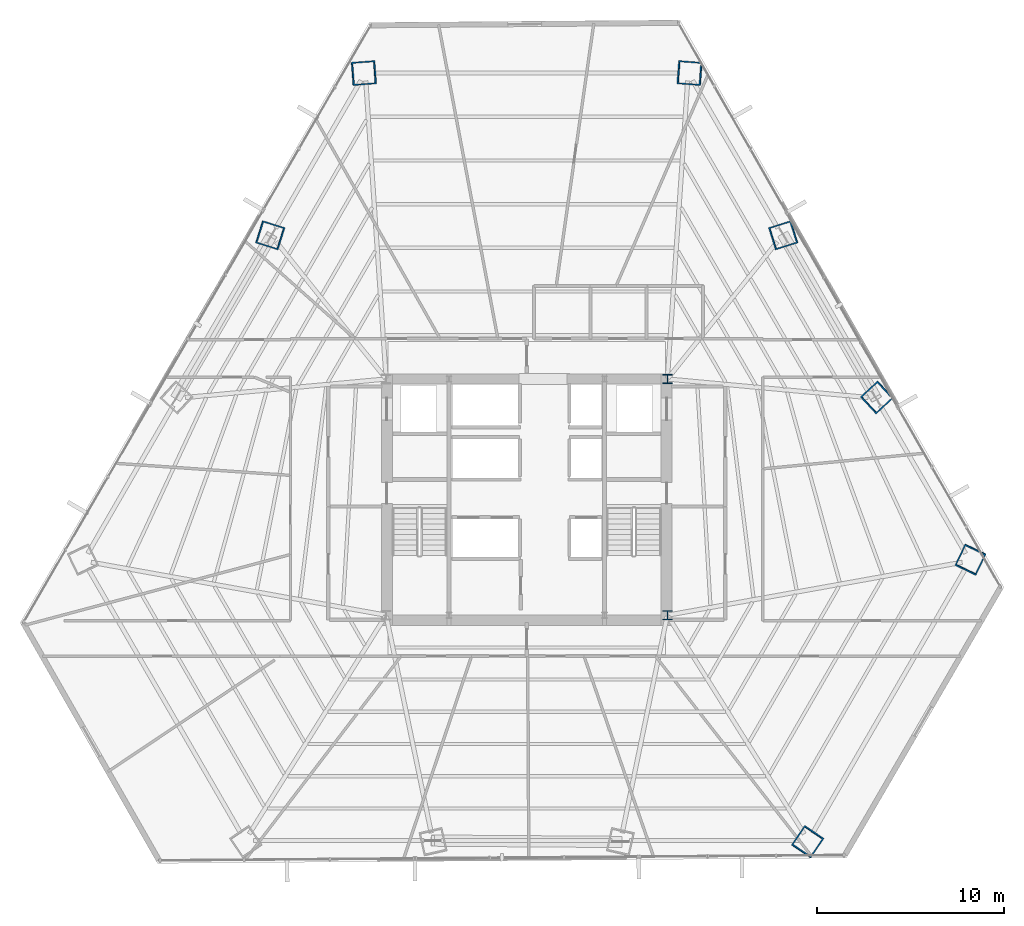
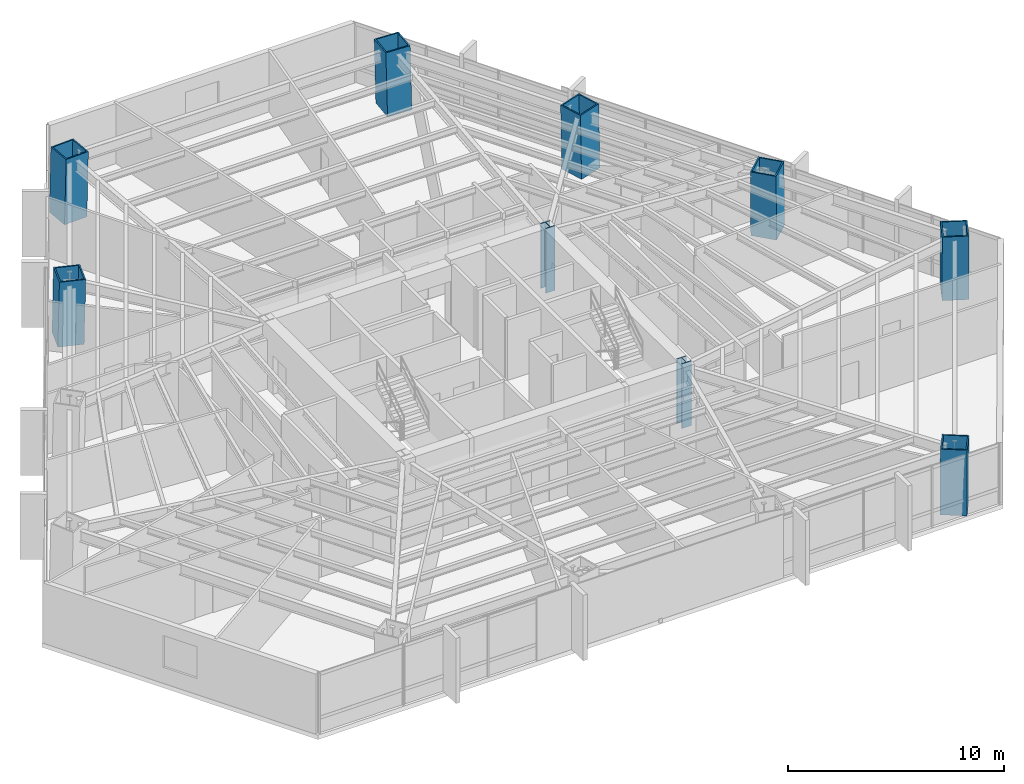
# One storey, part 2 of 35: 9 columns.
"""IFC4 building model written with IfcOpenShell, lengths in metres."""

from ifc_helpers import new_model, si_unit, direction, frame, origin, origin_2d, place, context, subcontext, project, spatial, hollow_rectangle, i_section, extrude, source, transform, mapped, material, material_profile, profile_set, type_object, type_shapes, element, save


model = new_model("IFC4")

# Units and contexts
model_context = context("Model", 3, precision=1e-05, world=origin(), true_north=direction((0.0, 1.0)))
body_context = subcontext(model_context, "Body", "Model", "MODEL_VIEW")
ifc_project = project(units=[si_unit("LENGTHUNIT", "METRE"), si_unit("AREAUNIT", "SQUARE_METRE"), si_unit("VOLUMEUNIT", "CUBIC_METRE"), si_unit("PLANEANGLEUNIT", "RADIAN"), si_unit("MASSUNIT", "GRAM", prefix="KILO")], contexts=[model_context])

# Site, building, storey
site_placement = place(None, origin())
site = spatial("IfcSite", under=ifc_project, at=site_placement, CompositionType="ELEMENT")
building_placement = place(site_placement, origin())
building = spatial("IfcBuilding", under=site, at=building_placement, Name="Caelisora Broadcast Tower", CompositionType="ELEMENT")
storey_placement = place(building_placement, frame((0.0, 0.0, 53.14990234375)))
storey = spatial("IfcBuildingStorey", under=building, at=storey_placement, Name="L13", CompositionType="ELEMENT", Elevation=53.14990234375)

# Columns
ifc_material_1 = material(Name="Steel Grade 350 L15 (AS/NZS 3678)", Category="steel")
ifc_material_profile_1 = material_profile(ifc_material_1, hollow_rectangle(XDim=1.25, YDim=1.25, WallThickness=0.070068359375, at=origin_2d()), Name="Steel Grade 350 L15 (AS/NZS 3678)")
ifc_profile_set_1 = profile_set([ifc_material_profile_1], Name="Steel Grade 350 L15 (AS/NZS 3678)")
column_type_1 = type_object("IfcColumnType", Name="MC02", PredefinedType="COLUMN", material=ifc_profile_set_1)
shared_shape_1 = source(origin(), body_context, "Body", "SweptSolid", [
    extrude(hollow_rectangle(XDim=1.25, YDim=1.25, WallThickness=0.070068359375, at=origin_2d()), origin(), (0.0, 0.0, 1.0), 3.65087890625),
])
for number, where, z_axis, x_axis, name in (
    (1, (24.306640625, 37.67041015625, 0.0), (0.019392689002, -0.006085292066, 0.99979342508), (0.299398805134, 0.954128060317, 0.0), "L13 column MC02"),
    (2, (56.685546875, 29.023681640625, 0.0), (-0.014912316331, -0.013775502979, 0.999793907933), (0.678553674548, -0.734550822447, 0.0), "L13 column MC02"),
    (3, (51.693359375, 37.67041015625, 0.0), (-0.019392689002, -0.006085292066, 0.99979342508), (0.299398805134, -0.954128060317, 0.0), "L13 column MC02"),
):
    element("IfcColumn", number, at=place(storey_placement, frame(where, z_axis=z_axis, x_axis=x_axis)), inside=storey, type_object=column_type_1, Name=name, PredefinedType="COLUMN", context=body_context, shape_type="MappedRepresentation", body=[
        mapped(shared_shape_1, transform((0.0, 0.0, 0.0), scale=1.0)),
    ])
ifc_material_2 = material(Name="Steel Grade 350 (AS/NZS 3679.2)", Category="steel")
ifc_material_profile_2 = material_profile(ifc_material_2, i_section(OverallWidth=0.5, OverallDepth=0.5, WebThickness=0.028076171875, FlangeThickness=0.0400390625, at=origin_2d()), Name="Steel Grade 350 (AS/NZS 3679.2)")
ifc_profile_set_2 = profile_set([ifc_material_profile_2], Name="Steel Grade 350 (AS/NZS 3679.2)")
column_type_2 = type_object("IfcColumnType", Name="CC01", PredefinedType="COLUMN", material=ifc_profile_set_2)
shared_shape_2 = source(origin(), body_context, "Body", "SweptSolid", [
    extrude(i_section(OverallWidth=0.5, OverallDepth=0.5, WebThickness=0.028076171875, FlangeThickness=0.0400390625, at=origin_2d()), origin(), (0.0, 0.0, 1.0), 3.650146484375),
])
type_shapes(column_type_2, [shared_shape_2])
for number, where, z_axis, x_axis, name in (
    (4, (45.5, 17.39990234375, 0.0), (0.0, 0.0, 1.0), (1.0, 0.0, 0.0), "L13 column CC01"),
    (5, (45.5, 30.0, 0.0), (0.0, 0.0, 1.0), (1.0, 0.0, 0.0), "L13 column CC01"),
):
    element("IfcColumn", number, at=place(storey_placement, frame(where, z_axis=z_axis, x_axis=x_axis)), inside=storey, type_object=column_type_2, Name=name, PredefinedType="COLUMN", context=body_context, shape_type="MappedRepresentation", body=[
        mapped(shared_shape_2, transform((0.0, 0.0, 0.0), scale=1.0)),
    ])
shared_shape_3 = source(origin(), body_context, "Body", "SweptSolid", [
    extrude(hollow_rectangle(XDim=1.25, YDim=1.25, WallThickness=0.070068359375, at=origin_2d()), origin(), (0.0, 0.0, 1.0), 3.651123046875),
])
type_shapes(column_type_1, [shared_shape_1, shared_shape_3])
for number, where, z_axis, x_axis, name in (
    (6, (46.701171875, 46.31689453125, 0.0), (-0.02387115835, 0.001805381724, 0.999713413132), (-0.075414875552, -0.997152243414, 0.0), "L13 column MC02"),
    (7, (29.298828125, 46.31689453125, 0.0), (0.02387115835, 0.001805381724, 0.999713413132), (-0.075414875552, 0.997152243414, 0.0), "L13 column MC02"),
    (8, (52.9765625, 5.30615234375, 0.0), (0.013440068782, 0.019792340097, 0.999713772949), (-0.827290216258, 0.561774775229, 0.0), "L13 column MC02"),
    (9, (61.677490234375, 20.376953125, 0.0), (-0.010364224337, -0.0215977062, 0.999713019792), (0.901566609123, -0.432640323264, 0.0), "L13 column MC02"),
):
    element("IfcColumn", number, at=place(storey_placement, frame(where, z_axis=z_axis, x_axis=x_axis)), inside=storey, type_object=column_type_1, Name=name, PredefinedType="COLUMN", context=body_context, shape_type="MappedRepresentation", body=[
        mapped(shared_shape_3, transform((0.0, 0.0, 0.0), scale=1.0)),
    ])

save(model, "model.ifc")
